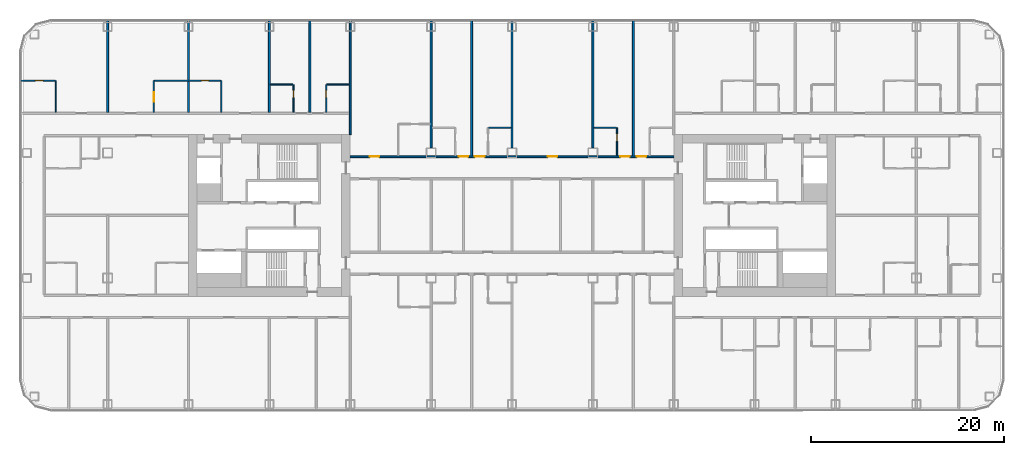
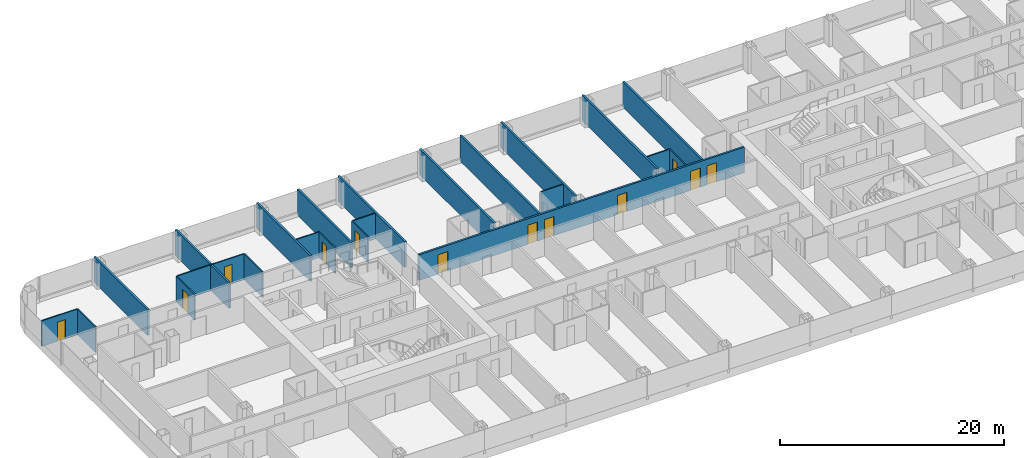
# One storey, part 16 of 28: 23 walls, 12 doors, 12 openings.
"""IFC4 building model written with IfcOpenShell, lengths in metres."""

from ifc_helpers import new_model, si_unit, direction, frame, frame_2d, origin, place, context, subcontext, project, spatial, rectangle, extrude, material, layer, layer_set, type_object, element, fill, save


model = new_model("IFC4")

# Units and contexts
model_context = context("Model", 3, precision=1e-05, world=origin(), true_north=direction((0.0, 1.0)))
body_context = subcontext(model_context, "Body", "Model", "MODEL_VIEW")
ifc_project = project(units=[si_unit("LENGTHUNIT", "METRE"), si_unit("AREAUNIT", "SQUARE_METRE"), si_unit("VOLUMEUNIT", "CUBIC_METRE"), si_unit("PLANEANGLEUNIT", "RADIAN"), si_unit("MASSUNIT", "GRAM", prefix="KILO")], contexts=[model_context])

# Site, building, storey
site_placement = place(None, origin())
site = spatial("IfcSite", under=ifc_project, at=site_placement, CompositionType="ELEMENT")
building_placement = place(site_placement, origin())
building = spatial("IfcBuilding", under=site, at=building_placement, Name="Hakoniwa Tower and Hamabe Station Hall", CompositionType="ELEMENT")
storey_placement = place(building_placement, frame((0.0, 0.0, 58.199951171875)))
storey = spatial("IfcBuildingStorey", under=building, at=storey_placement, Name="L16", CompositionType="ELEMENT", Elevation=58.199951171875)

# Walls
ifc_material_1 = material(Name="Gypsum board partition", Category="gypsum")
ifc_layer_1 = layer(ifc_material_1, 0.125)
ifc_layer_set_1 = layer_set([ifc_layer_1], Name="Bathroom Partition 125")
wall_type_1 = type_object("IfcWallType", Name="Bathroom Partition 125", PredefinedType="PARTITIONING", material=ifc_layer_set_1)
for number, where, z_axis, x_axis, name in (
    (1, (-2.4375, 9.10009765625, 0.0), (0.0, 0.0, 1.0), (1.0, 0.0, 0.0), "GW-L16-032"),
    (2, (8.5, 9.10009765625, 0.0), (0.0, 0.0, 1.0), (1.0, 0.0, 0.0), "GW-L16-033"),
):
    element("IfcWall", number, at=place(storey_placement, frame(where, z_axis=z_axis, x_axis=x_axis)), inside=storey, type_object=wall_type_1, Name=name, PredefinedType="PARTITIONING", context=body_context, shape_type="SweptSolid", body=[
        extrude(rectangle(XDim=2.33740234375, YDim=0.125, at=frame_2d((1.168701171875, 0.0))), origin(), (0.0, 0.0, 1.0), 2.800048828125),
    ])
for number, where, z_axis, x_axis, name in (
    (3, (-25.10009765625, 13.60009765625, 0.0), (0.0, 0.0, 1.0), (1.0, 0.0, 0.0), "GW-L16-038"),
    (4, (-19.237548828125, 13.60009765625, 0.0), (0.0, 0.0, 1.0), (1.0, 0.0, 0.0), "GW-L16-039"),
):
    element("IfcWall", number, at=place(storey_placement, frame(where, z_axis=z_axis, x_axis=x_axis)), inside=storey, type_object=wall_type_1, Name=name, PredefinedType="PARTITIONING", context=body_context, shape_type="SweptSolid", body=[
        extrude(rectangle(XDim=2.337646484375, YDim=0.125, at=frame_2d((1.1689453125, 0.0))), origin(), (0.0, 0.0, 1.0), 2.800048828125),
    ])

# Wall, opening, door
wall_1_placement = place(storey_placement, frame((-51.10009765625, 14.0, 0.0), z_axis=(0.0, 0.0, 1.0), x_axis=(1.0, 0.0, 0.0)))
wall_1 = element("IfcWall", 5, at=wall_1_placement, inside=storey, type_object=wall_type_1, Name="GW-L16-044", PredefinedType="PARTITIONING", context=body_context, shape_type="SweptSolid", body=[
    extrude(rectangle(XDim=3.6376953125, YDim=0.125, at=frame_2d((1.81884765625, 0.0))), origin(), (0.0, 0.0, 1.0), 2.800048828125),
])
opening_1_placement = place(wall_1_placement, frame((1.60009765625, 0.0, 0.0)))
opening_1 = element("IfcOpeningElement", 6, at=opening_1_placement, cuts=wall_1, Name="Opening GD-G1C2-62", PredefinedType="OPENING", context=body_context, shape_type="SweptSolid", body=[
    extrude(rectangle(XDim=0.800048828125, YDim=2.10009765625, at=frame_2d((0.39990234375, 1.050048828125))), frame((0.0, 0.072509765625, 0.0), z_axis=(0.0, -1.0, 0.0), x_axis=(1.0, 0.0, 0.0)), (0.0, 0.0, 1.0), 0.14501953125),
])
ifc_material_2 = material(Name="Timber door leaf", Category="wood")
door_type_1 = type_object("IfcDoorType", Name="Bathroom Door 800", OperationType="SINGLE_SWING_LEFT", PredefinedType="DOOR", material=ifc_material_2)
door_1_placement = place(opening_1_placement, origin())
door_1 = element("IfcDoor", 7, at=door_1_placement, inside=storey, type_object=door_type_1, Name="Door GD-G1C2-62", OperationType="SINGLE_SWING_RIGHT", OverallHeight=2.10009765625, OverallWidth=0.800048828125, PredefinedType="DOOR", context=body_context, shape_type="SweptSolid", body=[
    extrude(rectangle(XDim=0.800048828125, YDim=2.10009765625, at=frame_2d((0.39990234375, 1.050048828125))), frame((0.0, 0.02490234375, 0.0), z_axis=(0.0, -1.0, 0.0), x_axis=(1.0, 0.0, 0.0)), (0.0, 0.0, 1.0), 0.050048828125),
])
fill(opening_1, door_1)

wall_2_placement = place(storey_placement, frame((-37.137451171875, 14.0, 0.0), z_axis=(0.0, 0.0, 1.0), x_axis=(1.0, 0.0, 0.0)))
wall_2 = element("IfcWall", 8, at=wall_2_placement, inside=storey, type_object=wall_type_1, Name="GW-L16-045", PredefinedType="PARTITIONING", context=body_context, shape_type="SweptSolid", body=[
    extrude(rectangle(XDim=6.875, YDim=0.125, at=frame_2d((3.4375, 0.0))), origin(), (0.0, 0.0, 1.0), 2.800048828125),
])
opening_2_placement = place(wall_2_placement, frame((4.83740234375, 0.0, 0.0)))
opening_2 = element("IfcOpeningElement", 9, at=opening_2_placement, cuts=wall_2, Name="Opening GD-G1C2-63", PredefinedType="OPENING", context=body_context, shape_type="SweptSolid", body=[
    extrude(rectangle(XDim=0.800048828125, YDim=2.10009765625, at=frame_2d((0.39990234375, 1.050048828125))), frame((0.0, 0.072509765625, 0.0), z_axis=(0.0, -1.0, 0.0), x_axis=(1.0, 0.0, 0.0)), (0.0, 0.0, 1.0), 0.14501953125),
])
door_2_placement = place(opening_2_placement, origin())
door_2 = element("IfcDoor", 10, at=door_2_placement, inside=storey, type_object=door_type_1, Name="Door GD-G1C2-63", OperationType="SINGLE_SWING_LEFT", OverallHeight=2.10009765625, OverallWidth=0.800048828125, PredefinedType="DOOR", context=body_context, shape_type="SweptSolid", body=[
    extrude(rectangle(XDim=0.800048828125, YDim=2.10009765625, at=frame_2d((0.39990234375, 1.050048828125))), frame((0.0, 0.02490234375, 0.0), z_axis=(0.0, -1.0, 0.0), x_axis=(1.0, 0.0, 0.0)), (0.0, 0.0, 1.0), 0.050048828125),
])
fill(opening_2, door_2)

# Wall
wall_3_placement = place(storey_placement, frame((-47.39990234375, 10.699951171875, 0.0), z_axis=(0.0, 0.0, 1.0), x_axis=(0.0, 1.0, 0.0)))
element("IfcWall", 11, at=wall_3_placement, inside=storey, type_object=wall_type_1, Name="GW-L16-049", PredefinedType="PARTITIONING", context=body_context, shape_type="SweptSolid", body=[
    extrude(rectangle(XDim=3.300048828125, YDim=0.125, at=frame_2d((1.64990234375, 0.0))), origin(), (0.0, 0.0, 1.0), 2.800048828125),
])

# Wall, opening, door
wall_4_placement = place(storey_placement, frame((-37.199951171875, 10.699951171875, 0.0), z_axis=(0.0, 0.0, 1.0), x_axis=(0.0, 1.0, 0.0)))
wall_4 = element("IfcWall", 12, at=wall_4_placement, inside=storey, type_object=wall_type_1, Name="GW-L16-057", PredefinedType="PARTITIONING", context=body_context, shape_type="SweptSolid", body=[
    extrude(rectangle(XDim=3.300048828125, YDim=0.125, at=frame_2d((1.64990234375, 0.0))), origin(), (0.0, 0.0, 1.0), 2.800048828125),
])
opening_3_placement = place(wall_4_placement, frame((1.10009765625, 0.0, 0.0)))
opening_3 = element("IfcOpeningElement", 13, at=opening_3_placement, cuts=wall_4, Name="Opening GD-G1C2-66", PredefinedType="OPENING", context=body_context, shape_type="SweptSolid", body=[
    extrude(rectangle(XDim=1.0, YDim=2.10009765625, at=frame_2d((0.5, 1.050048828125))), frame((0.0, 0.072509765625, 0.0), z_axis=(0.0, -1.0, 0.0), x_axis=(1.0, 0.0, 0.0)), (0.0, 0.0, 1.0), 0.14501953125),
])
ifc_material_3 = material(Name="Timber door leaf", Category="wood")
door_type_2 = type_object("IfcDoorType", Name="Accessible Bathroom Door 1000", OperationType="SINGLE_SWING_LEFT", PredefinedType="DOOR", material=ifc_material_3)
door_3_placement = place(opening_3_placement, origin())
door_3 = element("IfcDoor", 14, at=door_3_placement, inside=storey, type_object=door_type_2, Name="Door GD-G1C2-66", OperationType="SINGLE_SWING_RIGHT", OverallHeight=2.10009765625, OverallWidth=1.0, PredefinedType="DOOR", context=body_context, shape_type="SweptSolid", body=[
    extrude(rectangle(XDim=1.0, YDim=2.10009765625, at=frame_2d((0.5, 1.050048828125))), frame((0.0, 0.02490234375, 0.0), z_axis=(0.0, -1.0, 0.0), x_axis=(1.0, 0.0, 0.0)), (0.0, 0.0, 1.0), 0.050048828125),
])
fill(opening_3, door_3)

# Wall
wall_5_placement = place(storey_placement, frame((-30.199951171875, 10.699951171875, 0.0), z_axis=(0.0, 0.0, 1.0), x_axis=(0.0, 1.0, 0.0)))
element("IfcWall", 15, at=wall_5_placement, inside=storey, type_object=wall_type_1, Name="GW-L16-061", PredefinedType="PARTITIONING", context=body_context, shape_type="SweptSolid", body=[
    extrude(rectangle(XDim=3.300048828125, YDim=0.125, at=frame_2d((1.64990234375, 0.0))), origin(), (0.0, 0.0, 1.0), 2.800048828125),
])

# Wall, opening, door
wall_6_placement = place(storey_placement, frame((-22.699951171875, 10.699951171875, 0.0), z_axis=(0.0, 0.0, 1.0), x_axis=(0.0, 1.0, 0.0)))
wall_6 = element("IfcWall", 16, at=wall_6_placement, inside=storey, type_object=wall_type_1, Name="GW-L16-064", PredefinedType="PARTITIONING", context=body_context, shape_type="SweptSolid", body=[
    extrude(rectangle(XDim=2.900146484375, YDim=0.125, at=frame_2d((1.4501953125, 0.0))), origin(), (0.0, 0.0, 1.0), 2.800048828125),
])
opening_4_placement = place(wall_6_placement, frame((1.5, 0.0, 0.0)))
opening_4 = element("IfcOpeningElement", 17, at=opening_4_placement, cuts=wall_6, Name="Opening GD-G1C2-67", PredefinedType="OPENING", context=body_context, shape_type="SweptSolid", body=[
    extrude(rectangle(XDim=0.800048828125, YDim=2.10009765625, at=frame_2d((0.39990234375, 1.050048828125))), frame((0.0, 0.072509765625, 0.0), z_axis=(0.0, -1.0, 0.0), x_axis=(1.0, 0.0, 0.0)), (0.0, 0.0, 1.0), 0.14501953125),
])
door_4_placement = place(opening_4_placement, origin())
door_4 = element("IfcDoor", 18, at=door_4_placement, inside=storey, type_object=door_type_1, Name="Door GD-G1C2-67", OperationType="SINGLE_SWING_LEFT", OverallHeight=2.10009765625, OverallWidth=0.800048828125, PredefinedType="DOOR", context=body_context, shape_type="SweptSolid", body=[
    extrude(rectangle(XDim=0.800048828125, YDim=2.10009765625, at=frame_2d((0.39990234375, 1.050048828125))), frame((0.0, 0.02490234375, 0.0), z_axis=(0.0, -1.0, 0.0), x_axis=(1.0, 0.0, 0.0)), (0.0, 0.0, 1.0), 0.050048828125),
])
fill(opening_4, door_4)

wall_7_placement = place(storey_placement, frame((-19.300048828125, 10.699951171875, 0.0), z_axis=(0.0, 0.0, 1.0), x_axis=(0.0, 1.0, 0.0)))
wall_7 = element("IfcWall", 19, at=wall_7_placement, inside=storey, type_object=wall_type_1, Name="GW-L16-067", PredefinedType="PARTITIONING", context=body_context, shape_type="SweptSolid", body=[
    extrude(rectangle(XDim=2.900146484375, YDim=0.125, at=frame_2d((1.4501953125, 0.0))), origin(), (0.0, 0.0, 1.0), 2.800048828125),
])
opening_5_placement = place(wall_7_placement, frame((1.5, 0.0, 0.0)))
opening_5 = element("IfcOpeningElement", 20, at=opening_5_placement, cuts=wall_7, Name="Opening GD-G1C2-68", PredefinedType="OPENING", context=body_context, shape_type="SweptSolid", body=[
    extrude(rectangle(XDim=0.800048828125, YDim=2.10009765625, at=frame_2d((0.39990234375, 1.050048828125))), frame((0.0, 0.072509765625, 0.0), z_axis=(0.0, -1.0, 0.0), x_axis=(1.0, 0.0, 0.0)), (0.0, 0.0, 1.0), 0.14501953125),
])
door_5_placement = place(opening_5_placement, origin())
door_5 = element("IfcDoor", 21, at=door_5_placement, inside=storey, type_object=door_type_1, Name="Door GD-G1C2-68", OperationType="SINGLE_SWING_RIGHT", OverallHeight=2.10009765625, OverallWidth=0.800048828125, PredefinedType="DOOR", context=body_context, shape_type="SweptSolid", body=[
    extrude(rectangle(XDim=0.800048828125, YDim=2.10009765625, at=frame_2d((0.39990234375, 1.050048828125))), frame((0.0, 0.02490234375, 0.0), z_axis=(0.0, -1.0, 0.0), x_axis=(1.0, 0.0, 0.0)), (0.0, 0.0, 1.0), 0.050048828125),
])
fill(opening_5, door_5)

wall_8_placement = place(storey_placement, frame((10.89990234375, 6.199951171875, 0.0), z_axis=(0.0, 0.0, 1.0), x_axis=(0.0, 1.0, 0.0)))
wall_8 = element("IfcWall", 22, at=wall_8_placement, inside=storey, type_object=wall_type_1, Name="GW-L16-091", PredefinedType="PARTITIONING", context=body_context, shape_type="SweptSolid", body=[
    extrude(rectangle(XDim=2.900146484375, YDim=0.125, at=frame_2d((1.4501953125, 0.0))), origin(), (0.0, 0.0, 1.0), 2.800048828125),
])
opening_6_placement = place(wall_8_placement, frame((1.5, 0.0, 0.0)))
opening_6 = element("IfcOpeningElement", 23, at=opening_6_placement, cuts=wall_8, Name="Opening GD-G1C2-74", PredefinedType="OPENING", context=body_context, shape_type="SweptSolid", body=[
    extrude(rectangle(XDim=0.800048828125, YDim=2.10009765625, at=frame_2d((0.39990234375, 1.050048828125))), frame((0.0, 0.072509765625, 0.0), z_axis=(0.0, -1.0, 0.0), x_axis=(1.0, 0.0, 0.0)), (0.0, 0.0, 1.0), 0.14501953125),
])
door_6_placement = place(opening_6_placement, origin())
door_6 = element("IfcDoor", 24, at=door_6_placement, inside=storey, type_object=door_type_1, Name="Door GD-G1C2-74", OperationType="SINGLE_SWING_LEFT", OverallHeight=2.10009765625, OverallWidth=0.800048828125, PredefinedType="DOOR", context=body_context, shape_type="SweptSolid", body=[
    extrude(rectangle(XDim=0.800048828125, YDim=2.10009765625, at=frame_2d((0.39990234375, 1.050048828125))), frame((0.0, 0.02490234375, 0.0), z_axis=(0.0, -1.0, 0.0), x_axis=(1.0, 0.0, 0.0)), (0.0, 0.0, 1.0), 0.050048828125),
])
fill(opening_6, door_6)

# Wall, openings, doors
ifc_material_4 = material(Name="Fire-rated gypsum board partition", Category="gypsum")
ifc_layer_2 = layer(ifc_material_4, 0.199951171875)
ifc_layer_set_2 = layer_set([ifc_layer_2], Name="Corridor Wall 200")
wall_type_2 = type_object("IfcWallType", Name="Corridor Wall 200", PredefinedType="PARTITIONING", material=ifc_layer_set_2)
wall_9_placement = place(storey_placement, frame((-16.800048828125, 6.10009765625, 0.0), z_axis=(0.0, 0.0, 1.0), x_axis=(1.0, 0.0, 0.0)))
wall_9 = element("IfcWall", 25, at=wall_9_placement, inside=storey, type_object=wall_type_2, Name="GW-L16-028", PredefinedType="PARTITIONING", context=body_context, shape_type="SweptSolid", body=[
    extrude(rectangle(XDim=33.60009765625, YDim=0.199951171875, at=frame_2d((16.800048828125, 0.0))), origin(), (0.0, 0.0, 1.0), 2.800048828125),
])
opening_7_placement = place(wall_9_placement, frame((2.0, 0.0, 0.0)))
opening_7 = element("IfcOpeningElement", 26, at=opening_7_placement, cuts=wall_9, Name="Opening GD-G1C2-41", PredefinedType="OPENING", context=body_context, shape_type="SweptSolid", body=[
    extrude(rectangle(XDim=1.0, YDim=2.10009765625, at=frame_2d((0.5, 1.050048828125))), frame((0.0, 0.10986328125, 0.0), z_axis=(0.0, -1.0, 0.0), x_axis=(1.0, 0.0, 0.0)), (0.0, 0.0, 1.0), 0.219970703125),
])
opening_8_placement = place(wall_9_placement, frame((11.25, 0.0, 0.0)))
opening_8 = element("IfcOpeningElement", 27, at=opening_8_placement, cuts=wall_9, Name="Opening GD-G1C2-42", PredefinedType="OPENING", context=body_context, shape_type="SweptSolid", body=[
    extrude(rectangle(XDim=1.0, YDim=2.10009765625, at=frame_2d((0.5, 1.050048828125))), frame((0.0, 0.10986328125, 0.0), z_axis=(0.0, -1.0, 0.0), x_axis=(1.0, 0.0, 0.0)), (0.0, 0.0, 1.0), 0.219970703125),
])
opening_9_placement = place(wall_9_placement, frame((12.949951171875, 0.0, 0.0)))
opening_9 = element("IfcOpeningElement", 28, at=opening_9_placement, cuts=wall_9, Name="Opening GD-G1C2-43", PredefinedType="OPENING", context=body_context, shape_type="SweptSolid", body=[
    extrude(rectangle(XDim=1.0, YDim=2.10009765625, at=frame_2d((0.5, 1.050048828125))), frame((0.0, 0.10986328125, 0.0), z_axis=(0.0, -1.0, 0.0), x_axis=(1.0, 0.0, 0.0)), (0.0, 0.0, 1.0), 0.219970703125),
])
opening_10_placement = place(wall_9_placement, frame((20.5, 0.0, 0.0)))
opening_10 = element("IfcOpeningElement", 29, at=opening_10_placement, cuts=wall_9, Name="Opening GD-G1C2-44", PredefinedType="OPENING", context=body_context, shape_type="SweptSolid", body=[
    extrude(rectangle(XDim=1.0, YDim=2.10009765625, at=frame_2d((0.5, 1.050048828125))), frame((0.0, 0.10986328125, 0.0), z_axis=(0.0, -1.0, 0.0), x_axis=(1.0, 0.0, 0.0)), (0.0, 0.0, 1.0), 0.219970703125),
])
opening_11_placement = place(wall_9_placement, frame((28.050048828125, 0.0, 0.0)))
opening_11 = element("IfcOpeningElement", 30, at=opening_11_placement, cuts=wall_9, Name="Opening GD-G1C2-45", PredefinedType="OPENING", context=body_context, shape_type="SweptSolid", body=[
    extrude(rectangle(XDim=1.0, YDim=2.10009765625, at=frame_2d((0.5, 1.050048828125))), frame((0.0, 0.10986328125, 0.0), z_axis=(0.0, -1.0, 0.0), x_axis=(1.0, 0.0, 0.0)), (0.0, 0.0, 1.0), 0.219970703125),
])
opening_12_placement = place(wall_9_placement, frame((29.75, 0.0, 0.0)))
opening_12 = element("IfcOpeningElement", 31, at=opening_12_placement, cuts=wall_9, Name="Opening GD-G1C2-46", PredefinedType="OPENING", context=body_context, shape_type="SweptSolid", body=[
    extrude(rectangle(XDim=1.0, YDim=2.10009765625, at=frame_2d((0.5, 1.050048828125))), frame((0.0, 0.10986328125, 0.0), z_axis=(0.0, -1.0, 0.0), x_axis=(1.0, 0.0, 0.0)), (0.0, 0.0, 1.0), 0.219970703125),
])
ifc_material_5 = material(Name="Timber door leaf", Category="wood")
door_type_3 = type_object("IfcDoorType", Name="Guest Entrance Door 1000", OperationType="SINGLE_SWING_LEFT", PredefinedType="DOOR", material=ifc_material_5)
door_7_placement = place(opening_7_placement, origin())
door_7 = element("IfcDoor", 32, at=door_7_placement, inside=storey, type_object=door_type_3, Name="Door GD-G1C2-41", OperationType="SINGLE_SWING_RIGHT", OverallHeight=2.10009765625, OverallWidth=1.0, PredefinedType="DOOR", context=body_context, shape_type="SweptSolid", body=[
    extrude(rectangle(XDim=1.0, YDim=2.10009765625, at=frame_2d((0.5, 1.050048828125))), frame((0.0, 0.02490234375, 0.0), z_axis=(0.0, -1.0, 0.0), x_axis=(1.0, 0.0, 0.0)), (0.0, 0.0, 1.0), 0.050048828125),
])
fill(opening_7, door_7)
door_8_placement = place(opening_8_placement, origin())
door_8 = element("IfcDoor", 33, at=door_8_placement, inside=storey, type_object=door_type_3, Name="Door GD-G1C2-42", OperationType="SINGLE_SWING_LEFT", OverallHeight=2.10009765625, OverallWidth=1.0, PredefinedType="DOOR", context=body_context, shape_type="SweptSolid", body=[
    extrude(rectangle(XDim=1.0, YDim=2.10009765625, at=frame_2d((0.5, 1.050048828125))), frame((0.0, 0.02490234375, 0.0), z_axis=(0.0, -1.0, 0.0), x_axis=(1.0, 0.0, 0.0)), (0.0, 0.0, 1.0), 0.050048828125),
])
fill(opening_8, door_8)
door_9_placement = place(opening_9_placement, origin())
door_9 = element("IfcDoor", 34, at=door_9_placement, inside=storey, type_object=door_type_3, Name="Door GD-G1C2-43", OperationType="SINGLE_SWING_RIGHT", OverallHeight=2.10009765625, OverallWidth=1.0, PredefinedType="DOOR", context=body_context, shape_type="SweptSolid", body=[
    extrude(rectangle(XDim=1.0, YDim=2.10009765625, at=frame_2d((0.5, 1.050048828125))), frame((0.0, 0.02490234375, 0.0), z_axis=(0.0, -1.0, 0.0), x_axis=(1.0, 0.0, 0.0)), (0.0, 0.0, 1.0), 0.050048828125),
])
fill(opening_9, door_9)
door_10_placement = place(opening_10_placement, origin())
door_10 = element("IfcDoor", 35, at=door_10_placement, inside=storey, type_object=door_type_3, Name="Door GD-G1C2-44", OperationType="SINGLE_SWING_LEFT", OverallHeight=2.10009765625, OverallWidth=1.0, PredefinedType="DOOR", context=body_context, shape_type="SweptSolid", body=[
    extrude(rectangle(XDim=1.0, YDim=2.10009765625, at=frame_2d((0.5, 1.050048828125))), frame((0.0, 0.02490234375, 0.0), z_axis=(0.0, -1.0, 0.0), x_axis=(1.0, 0.0, 0.0)), (0.0, 0.0, 1.0), 0.050048828125),
])
fill(opening_10, door_10)
door_11_placement = place(opening_11_placement, origin())
door_11 = element("IfcDoor", 36, at=door_11_placement, inside=storey, type_object=door_type_3, Name="Door GD-G1C2-45", OperationType="SINGLE_SWING_RIGHT", OverallHeight=2.10009765625, OverallWidth=1.0, PredefinedType="DOOR", context=body_context, shape_type="SweptSolid", body=[
    extrude(rectangle(XDim=1.0, YDim=2.10009765625, at=frame_2d((0.5, 1.050048828125))), frame((0.0, 0.02490234375, 0.0), z_axis=(0.0, -1.0, 0.0), x_axis=(1.0, 0.0, 0.0)), (0.0, 0.0, 1.0), 0.050048828125),
])
fill(opening_11, door_11)
door_12_placement = place(opening_12_placement, origin())
door_12 = element("IfcDoor", 37, at=door_12_placement, inside=storey, type_object=door_type_3, Name="Door GD-G1C2-46", OperationType="SINGLE_SWING_LEFT", OverallHeight=2.10009765625, OverallWidth=1.0, PredefinedType="DOOR", context=body_context, shape_type="SweptSolid", body=[
    extrude(rectangle(XDim=1.0, YDim=2.10009765625, at=frame_2d((0.5, 1.050048828125))), frame((0.0, 0.02490234375, 0.0), z_axis=(0.0, -1.0, 0.0), x_axis=(1.0, 0.0, 0.0)), (0.0, 0.0, 1.0), 0.050048828125),
])
fill(opening_12, door_12)

# Walls
ifc_material_6 = material(Name="Fire-rated gypsum board partition", Category="gypsum")
ifc_layer_3 = layer(ifc_material_6, 0.199951171875)
ifc_layer_set_3 = layer_set([ifc_layer_3], Name="Party Wall 200")
wall_type_3 = type_object("IfcWallType", Name="Party Wall 200", PredefinedType="PARTITIONING", material=ifc_layer_set_3)
for number, where, z_axis, x_axis, name in (
    (38, (-42.0, 10.699951171875, 0.0), (0.0, 0.0, 1.0), (0.0, 1.0, 0.0), "GW-L16-056"),
    (39, (-33.60009765625, 10.699951171875, 0.0), (0.0, 0.0, 1.0), (0.0, 1.0, 0.0), "GW-L16-060"),
    (40, (-25.199951171875, 10.699951171875, 0.0), (0.0, 0.0, 1.0), (0.0, 1.0, 0.0), "GW-L16-063"),
    (41, (-21.0, 10.699951171875, 0.0), (0.0, 0.0, 1.0), (0.0, 1.0, 0.0), "GW-L16-065"),
):
    element("IfcWall", number, at=place(storey_placement, frame(where, z_axis=z_axis, x_axis=x_axis)), inside=storey, type_object=wall_type_3, Name=name, PredefinedType="PARTITIONING", context=body_context, shape_type="SweptSolid", body=[
        extrude(rectangle(XDim=9.60009765625, YDim=0.199951171875, at=frame_2d((4.800048828125, 0.0))), origin(), (0.0, 0.0, 1.0), 2.800048828125),
    ])
wall_10_placement = place(storey_placement, frame((-16.800048828125, 8.389892578125, 0.0), z_axis=(0.0, 0.0, 1.0), x_axis=(0.0, 1.0, 0.0)))
element("IfcWall", 42, at=wall_10_placement, inside=storey, type_object=wall_type_3, Name="GW-L16-069", PredefinedType="PARTITIONING", context=body_context, shape_type="SweptSolid", body=[
    extrude(rectangle(XDim=11.91015625, YDim=0.199951171875, at=frame_2d((5.955078125, 0.0))), origin(), (0.0, 0.0, 1.0), 2.800048828125),
])
wall_11_placement = place(storey_placement, frame((-8.39990234375, 6.989990234375, 0.0), z_axis=(0.0, 0.0, 1.0), x_axis=(0.0, 1.0, 0.0)))
element("IfcWall", 43, at=wall_11_placement, inside=storey, type_object=wall_type_3, Name="GW-L16-075", PredefinedType="PARTITIONING", context=body_context, shape_type="SweptSolid", body=[
    extrude(rectangle(XDim=13.31005859375, YDim=0.199951171875, at=frame_2d((6.655029296875, 0.0))), origin(), (0.0, 0.0, 1.0), 2.800048828125),
])
wall_12_placement = place(storey_placement, frame((-4.199951171875, 6.199951171875, 0.0), z_axis=(0.0, 0.0, 1.0), x_axis=(0.0, 1.0, 0.0)))
element("IfcWall", 44, at=wall_12_placement, inside=storey, type_object=wall_type_3, Name="GW-L16-080", PredefinedType="PARTITIONING", context=body_context, shape_type="SweptSolid", body=[
    extrude(rectangle(XDim=14.10009765625, YDim=0.199951171875, at=frame_2d((7.050048828125, 0.0))), origin(), (0.0, 0.0, 1.0), 2.800048828125),
])
for number, where, z_axis, x_axis, name in (
    (45, (0.0, 6.989990234375, 0.0), (0.0, 0.0, 1.0), (0.0, 1.0, 0.0), "GW-L16-085"),
    (46, (8.39990234375, 6.989990234375, 0.0), (0.0, 0.0, 1.0), (0.0, 1.0, 0.0), "GW-L16-089"),
):
    element("IfcWall", number, at=place(storey_placement, frame(where, z_axis=z_axis, x_axis=x_axis)), inside=storey, type_object=wall_type_3, Name=name, PredefinedType="PARTITIONING", context=body_context, shape_type="SweptSolid", body=[
        extrude(rectangle(XDim=13.31005859375, YDim=0.199951171875, at=frame_2d((6.655029296875, 0.0))), origin(), (0.0, 0.0, 1.0), 2.800048828125),
    ])
wall_13_placement = place(storey_placement, frame((12.60009765625, 6.199951171875, 0.0), z_axis=(0.0, 0.0, 1.0), x_axis=(0.0, 1.0, 0.0)))
element("IfcWall", 47, at=wall_13_placement, inside=storey, type_object=wall_type_3, Name="GW-L16-093", PredefinedType="PARTITIONING", context=body_context, shape_type="SweptSolid", body=[
    extrude(rectangle(XDim=14.10009765625, YDim=0.199951171875, at=frame_2d((7.050048828125, 0.0))), origin(), (0.0, 0.0, 1.0), 2.800048828125),
])

save(model, "model.ifc")
